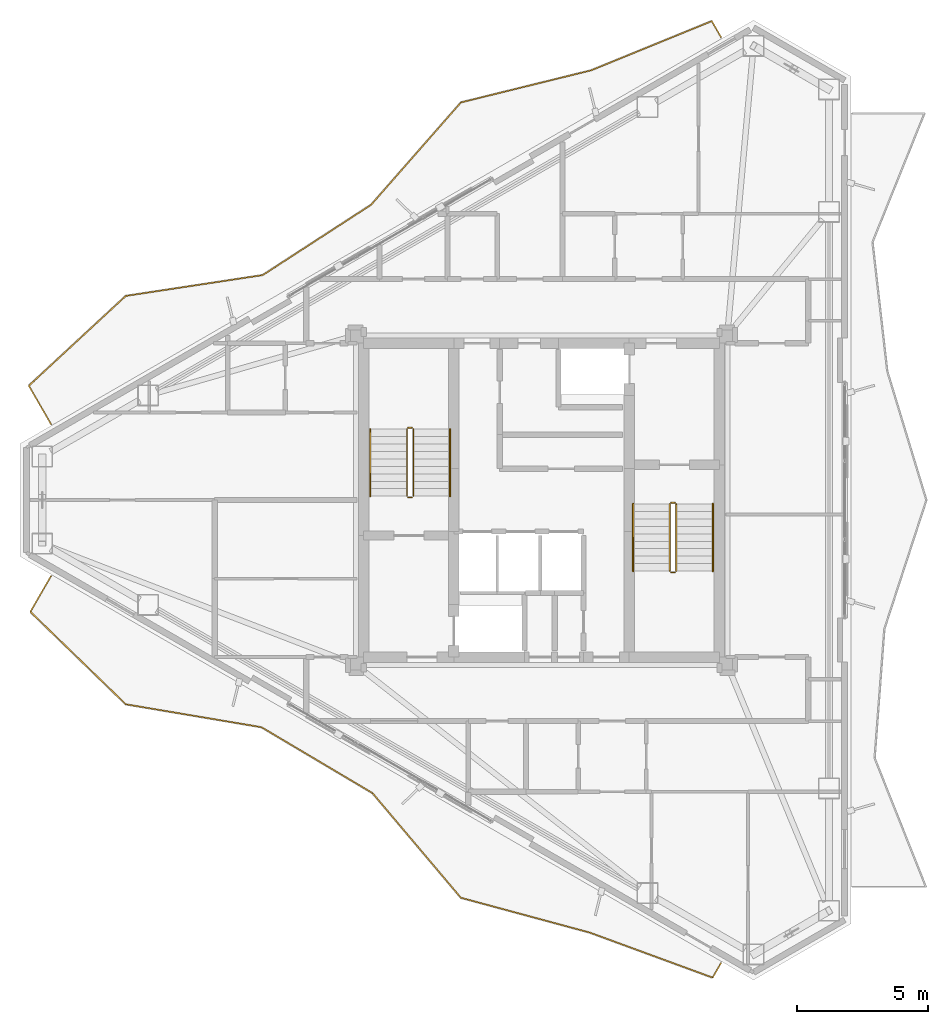
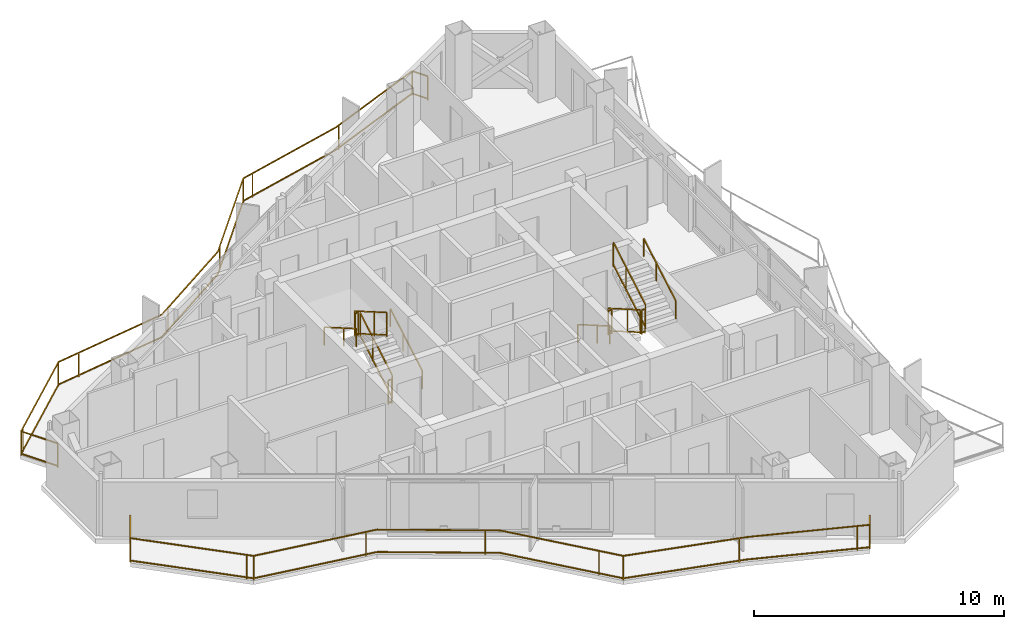
# One storey, part 21 of 22: 14 railings.
"""IFC4 building model written with IfcOpenShell, lengths in metres."""

from ifc_helpers import new_model, si_unit, direction, frame, origin, origin_2d, place, context, subcontext, project, spatial, rectangle, extrude, material, type_object, element, save


model = new_model("IFC4")

# Units and contexts
model_context = context("Model", 3, precision=1e-05, world=origin(), true_north=direction((0.0, 1.0)))
body_context = subcontext(model_context, "Body", "Model", "MODEL_VIEW")
ifc_project = project(units=[si_unit("LENGTHUNIT", "METRE"), si_unit("AREAUNIT", "SQUARE_METRE"), si_unit("VOLUMEUNIT", "CUBIC_METRE"), si_unit("PLANEANGLEUNIT", "RADIAN"), si_unit("MASSUNIT", "GRAM", prefix="KILO")], contexts=[model_context])

# Site, building, storey
site_placement = place(None, origin())
site = spatial("IfcSite", under=ifc_project, at=site_placement, CompositionType="ELEMENT")
building_placement = place(site_placement, origin())
building = spatial("IfcBuilding", under=site, at=building_placement, Name="Mersakhor Tower and Convention Hall", CompositionType="ELEMENT")
storey_placement = place(building_placement, frame((0.0, 0.0, 201.89990234375)))
storey = spatial("IfcBuildingStorey", under=building, at=storey_placement, Name="L56", CompositionType="ELEMENT", Elevation=201.89990234375)

# Railings
ifc_material_1 = material(Name="Powder-coated galvanised steel and laminated glass balustrade", Category="steel")
railing_type_1 = type_object("IfcRailingType", Name="RL-BAL-1200", PredefinedType="BALUSTRADE", material=ifc_material_1)
railing_1_placement = place(storey_placement, frame((35.86669921875, 44.44189453125, 0.0)))
element("IfcRailing", 1, at=railing_1_placement, inside=storey, type_object=railing_type_1, Name="L56 Sinusoidal Balcony Balustrade F1", PredefinedType="BALUSTRADE", context=body_context, shape_type="SweptSolid", body=[
    extrude(rectangle(XDim=0.048095703125, YDim=0.048095703125, at=origin_2d()), frame((0.0, 0.0, 1.17578125), z_axis=(-0.499801049099, 0.866140237675, 0.0), x_axis=(-0.866140237675, -0.499801049099, 0.0)), (0.0, 0.0, 1.0), 0.717041015625),
    extrude(rectangle(XDim=0.048095703125, YDim=0.048095703125, at=origin_2d()), frame((0.0, 0.0, 0.080078125), z_axis=(-0.499801049099, 0.866140237675, 0.0), x_axis=(-0.866140237675, -0.499801049099, 0.0)), (0.0, 0.0, 1.0), 0.717041015625),
    extrude(rectangle(XDim=0.048095703125, YDim=0.048095703125, at=origin_2d()), frame((-0.3583984375, 0.62109375, 1.17578125), z_axis=(-0.925866205829, -0.377851517007, 0.0), x_axis=(0.377851517007, -0.925866205829, 0.0)), (0.0, 0.0, 1.0), 4.97705078125),
    extrude(rectangle(XDim=0.048095703125, YDim=0.048095703125, at=origin_2d()), frame((-0.3583984375, 0.62109375, 0.080078125), z_axis=(-0.925866205829, -0.377851517007, 0.0), x_axis=(0.377851517007, -0.925866205829, 0.0)), (0.0, 0.0, 1.0), 4.97705078125),
    extrude(rectangle(XDim=0.048095703125, YDim=0.048095703125, at=origin_2d()), frame((-4.966552734375, -1.259521484375, 1.17578125), z_axis=(-0.970918004281, -0.239412257338, 0.0), x_axis=(0.239412257338, -0.970918004281, 0.0)), (0.0, 0.0, 1.0), 5.13330078125),
    extrude(rectangle(XDim=0.048095703125, YDim=0.048095703125, at=origin_2d()), frame((-4.966552734375, -1.259521484375, 0.080078125), z_axis=(-0.970918004281, -0.239412257338, 0.0), x_axis=(0.239412257338, -0.970918004281, 0.0)), (0.0, 0.0, 1.0), 5.13330078125),
    extrude(rectangle(XDim=0.048095703125, YDim=0.048095703125, at=origin_2d()), frame((-9.95068359375, -2.488525390625, 1.17578125), z_axis=(-0.65953636943, -0.751672653087, 0.0), x_axis=(0.751672653087, -0.65953636943, 0.0)), (0.0, 0.0, 1.0), 5.206787109375),
    extrude(rectangle(XDim=0.048095703125, YDim=0.048095703125, at=origin_2d()), frame((-9.95068359375, -2.488525390625, 0.080078125), z_axis=(-0.65953636943, -0.751672653087, 0.0), x_axis=(0.751672653087, -0.65953636943, 0.0)), (0.0, 0.0, 1.0), 5.206787109375),
    extrude(rectangle(XDim=0.048095703125, YDim=0.048095703125, at=origin_2d()), frame((-13.384765625, -6.40234375, 1.17578125), z_axis=(-0.838975320171, -0.544169470059, 0.0), x_axis=(0.544169470059, -0.838975320171, 0.0)), (0.0, 0.0, 1.0), 4.937255859375),
    extrude(rectangle(XDim=0.048095703125, YDim=0.048095703125, at=origin_2d()), frame((-13.384765625, -6.40234375, 0.080078125), z_axis=(-0.838975320171, -0.544169470059, 0.0), x_axis=(0.544169470059, -0.838975320171, 0.0)), (0.0, 0.0, 1.0), 4.937255859375),
    extrude(rectangle(XDim=0.048095703125, YDim=0.048095703125, at=origin_2d()), frame((-17.527099609375, -9.089111328125, 1.17578125), z_axis=(-0.988636721296, -0.150324426839, 0.0), x_axis=(0.150324426839, -0.988636721296, 0.0)), (0.0, 0.0, 1.0), 5.29443359375),
    extrude(rectangle(XDim=0.048095703125, YDim=0.048095703125, at=origin_2d()), frame((-17.527099609375, -9.089111328125, 0.080078125), z_axis=(-0.988636721296, -0.150324426839, 0.0), x_axis=(0.150324426839, -0.988636721296, 0.0)), (0.0, 0.0, 1.0), 5.29443359375),
    extrude(rectangle(XDim=0.048095703125, YDim=0.048095703125, at=origin_2d()), frame((-22.761474609375, -9.885009765625, 1.17578125), z_axis=(-0.733767805991, -0.679400328887, 0.0), x_axis=(0.679400328887, -0.733767805991, 0.0)), (0.0, 0.0, 1.0), 5.056396484375),
    extrude(rectangle(XDim=0.048095703125, YDim=0.048095703125, at=origin_2d()), frame((-22.761474609375, -9.885009765625, 0.080078125), z_axis=(-0.733767805991, -0.679400328887, 0.0), x_axis=(0.679400328887, -0.733767805991, 0.0)), (0.0, 0.0, 1.0), 5.056396484375),
    extrude(rectangle(XDim=0.048095703125, YDim=0.048095703125, at=origin_2d()), frame((-26.4716796875, -13.3203125, 1.17578125), z_axis=(0.499954529098, -0.86605165483, 0.0), x_axis=(0.86605165483, 0.499954529098, 0.0)), (0.0, 0.0, 1.0), 1.699951171875),
    extrude(rectangle(XDim=0.048095703125, YDim=0.048095703125, at=origin_2d()), frame((-26.4716796875, -13.3203125, 0.080078125), z_axis=(0.499954529098, -0.86605165483, 0.0), x_axis=(0.86605165483, 0.499954529098, 0.0)), (0.0, 0.0, 1.0), 1.699951171875),
    extrude(rectangle(XDim=0.0419921875, YDim=0.0419921875, at=origin_2d()), origin(), (0.0, 0.0, 1.0), 1.15185546875),
    extrude(rectangle(XDim=0.0419921875, YDim=0.0419921875, at=origin_2d()), frame((-0.3583984375, 0.62109375, 0.0)), (0.0, 0.0, 1.0), 1.15185546875),
    extrude(rectangle(XDim=0.0419921875, YDim=0.0419921875, at=origin_2d()), frame((-4.802490234375, -1.192626953125, 0.0)), (0.0, 0.0, 1.0), 1.15185546875),
    extrude(rectangle(XDim=0.0419921875, YDim=0.0419921875, at=origin_2d()), frame((-9.455078125, -2.3662109375, 0.0)), (0.0, 0.0, 1.0), 1.15185546875),
    extrude(rectangle(XDim=0.0419921875, YDim=0.0419921875, at=origin_2d()), frame((-9.95068359375, -2.488525390625, 0.0)), (0.0, 0.0, 1.0), 1.15185546875),
    extrude(rectangle(XDim=0.0419921875, YDim=0.0419921875, at=origin_2d()), frame((-13.116455078125, -6.096435546875, 0.0)), (0.0, 0.0, 1.0), 1.15185546875),
    extrude(rectangle(XDim=0.0419921875, YDim=0.0419921875, at=origin_2d()), frame((-17.070556640625, -8.79296875, 0.0)), (0.0, 0.0, 1.0), 1.15185546875),
    extrude(rectangle(XDim=0.0419921875, YDim=0.0419921875, at=origin_2d()), frame((-21.734619140625, -9.728759765625, 0.0)), (0.0, 0.0, 1.0), 1.15185546875),
    extrude(rectangle(XDim=0.0419921875, YDim=0.0419921875, at=origin_2d()), frame((-22.761474609375, -9.885009765625, 0.0)), (0.0, 0.0, 1.0), 1.15185546875),
    extrude(rectangle(XDim=0.0419921875, YDim=0.0419921875, at=origin_2d()), frame((-26.283447265625, -13.146240234375, 0.0)), (0.0, 0.0, 1.0), 1.15185546875),
    extrude(rectangle(XDim=0.0419921875, YDim=0.0419921875, at=origin_2d()), frame((-26.4716796875, -13.3203125, 0.0)), (0.0, 0.0, 1.0), 1.15185546875),
    extrude(rectangle(XDim=0.0419921875, YDim=0.0419921875, at=origin_2d()), frame((-25.621826171875, -14.79248046875, 0.0)), (0.0, 0.0, 1.0), 1.15185546875),
])
railing_2_placement = place(storey_placement, frame((10.244873046875, 23.8505859375, 0.0)))
element("IfcRailing", 2, at=railing_2_placement, inside=storey, type_object=railing_type_1, Name="L56 Sinusoidal Balcony Balustrade F3", PredefinedType="BALUSTRADE", context=body_context, shape_type="SweptSolid", body=[
    extrude(rectangle(XDim=0.048095703125, YDim=0.048095703125, at=origin_2d()), frame((0.0, 0.0, 1.17578125), z_axis=(-0.500043375578, -0.866000359435, 0.0), x_axis=(0.866000359435, -0.500043375578, 0.0)), (0.0, 0.0, 1.0), 1.580322265625),
    extrude(rectangle(XDim=0.048095703125, YDim=0.048095703125, at=origin_2d()), frame((0.0, 0.0, 0.080078125), z_axis=(-0.500043375578, -0.866000359435, 0.0), x_axis=(0.866000359435, -0.500043375578, 0.0)), (0.0, 0.0, 1.0), 1.580322265625),
    extrude(rectangle(XDim=0.048095703125, YDim=0.048095703125, at=origin_2d()), frame((-0.790283203125, -1.36865234375, 1.17578125), z_axis=(0.718017463383, -0.69602508739, 0.0), x_axis=(0.69602508739, 0.718017463383, 0.0)), (0.0, 0.0, 1.0), 5.084228515625),
    extrude(rectangle(XDim=0.048095703125, YDim=0.048095703125, at=origin_2d()), frame((-0.790283203125, -1.36865234375, 0.080078125), z_axis=(0.718017463383, -0.69602508739, 0.0), x_axis=(0.69602508739, 0.718017463383, 0.0)), (0.0, 0.0, 1.0), 5.084228515625),
    extrude(rectangle(XDim=0.048095703125, YDim=0.048095703125, at=origin_2d()), frame((2.8603515625, -4.907470703125, 1.17578125), z_axis=(0.98603415783, -0.166543206384, 0.0), x_axis=(0.166543206384, 0.98603415783, 0.0)), (0.0, 0.0, 1.0), 5.26123046875),
    extrude(rectangle(XDim=0.048095703125, YDim=0.048095703125, at=origin_2d()), frame((2.8603515625, -4.907470703125, 0.080078125), z_axis=(0.98603415783, -0.166543206384, 0.0), x_axis=(0.166543206384, 0.98603415783, 0.0)), (0.0, 0.0, 1.0), 5.26123046875),
    extrude(rectangle(XDim=0.048095703125, YDim=0.048095703125, at=origin_2d()), frame((8.048095703125, -5.78369140625, 1.17578125), z_axis=(0.859985792833, -0.510317975507, 0.0), x_axis=(0.510317975507, 0.859985792833, 0.0)), (0.0, 0.0, 1.0), 4.931396484375),
    extrude(rectangle(XDim=0.048095703125, YDim=0.048095703125, at=origin_2d()), frame((8.048095703125, -5.78369140625, 0.080078125), z_axis=(0.859985792833, -0.510317975507, 0.0), x_axis=(0.510317975507, 0.859985792833, 0.0)), (0.0, 0.0, 1.0), 4.931396484375),
    extrude(rectangle(XDim=0.048095703125, YDim=0.048095703125, at=origin_2d()), frame((12.2890625, -8.30029296875, 1.17578125), z_axis=(0.645315561703, -0.763916111771, 0.0), x_axis=(0.763916111771, 0.645315561703, 0.0)), (0.0, 0.0, 1.0), 5.240966796875),
    extrude(rectangle(XDim=0.048095703125, YDim=0.048095703125, at=origin_2d()), frame((12.2890625, -8.30029296875, 0.080078125), z_axis=(0.645315561703, -0.763916111771, 0.0), x_axis=(0.763916111771, 0.645315561703, 0.0)), (0.0, 0.0, 1.0), 5.240966796875),
    extrude(rectangle(XDim=0.048095703125, YDim=0.048095703125, at=origin_2d()), frame((15.671142578125, -12.303955078125, 1.17578125), z_axis=(0.965395959433, -0.260788499574, 0.0), x_axis=(0.260788499574, 0.965395959433, 0.0)), (0.0, 0.0, 1.0), 5.10205078125),
    extrude(rectangle(XDim=0.048095703125, YDim=0.048095703125, at=origin_2d()), frame((15.671142578125, -12.303955078125, 0.080078125), z_axis=(0.965395959433, -0.260788499574, 0.0), x_axis=(0.260788499574, 0.965395959433, 0.0)), (0.0, 0.0, 1.0), 5.10205078125),
    extrude(rectangle(XDim=0.048095703125, YDim=0.048095703125, at=origin_2d()), frame((20.5966796875, -13.634521484375, 1.17578125), z_axis=(0.938895760063, -0.344201614953, 0.0), x_axis=(0.344201614953, 0.938895760063, 0.0)), (0.0, 0.0, 1.0), 5.0048828125),
    extrude(rectangle(XDim=0.048095703125, YDim=0.048095703125, at=origin_2d()), frame((20.5966796875, -13.634521484375, 0.080078125), z_axis=(0.938895760063, -0.344201614953, 0.0), x_axis=(0.344201614953, 0.938895760063, 0.0)), (0.0, 0.0, 1.0), 5.0048828125),
    extrude(rectangle(XDim=0.048095703125, YDim=0.048095703125, at=origin_2d()), frame((25.295654296875, -15.357177734375, 1.17578125), z_axis=(0.500165322679, 0.865929933649, 0.0), x_axis=(-0.865929933649, 0.500165322679, 0.0)), (0.0, 0.0, 1.0), 0.652099609375),
    extrude(rectangle(XDim=0.048095703125, YDim=0.048095703125, at=origin_2d()), frame((25.295654296875, -15.357177734375, 0.080078125), z_axis=(0.500165322679, 0.865929933649, 0.0), x_axis=(-0.865929933649, 0.500165322679, 0.0)), (0.0, 0.0, 1.0), 0.652099609375),
    extrude(rectangle(XDim=0.0419921875, YDim=0.0419921875, at=origin_2d()), origin(), (0.0, 0.0, 1.0), 1.15185546875),
    extrude(rectangle(XDim=0.0419921875, YDim=0.0419921875, at=origin_2d()), frame((-0.790283203125, -1.36865234375, 0.0)), (0.0, 0.0, 1.0), 1.15185546875),
    extrude(rectangle(XDim=0.0419921875, YDim=0.0419921875, at=origin_2d()), frame((2.65625, -4.70947265625, 0.0)), (0.0, 0.0, 1.0), 1.15185546875),
    extrude(rectangle(XDim=0.0419921875, YDim=0.0419921875, at=origin_2d()), frame((2.8603515625, -4.907470703125, 0.0)), (0.0, 0.0, 1.0), 1.15185546875),
    extrude(rectangle(XDim=0.0419921875, YDim=0.0419921875, at=origin_2d()), frame((7.59326171875, -5.706787109375, 0.0)), (0.0, 0.0, 1.0), 1.15185546875),
    extrude(rectangle(XDim=0.0419921875, YDim=0.0419921875, at=origin_2d()), frame((11.779296875, -7.997802734375, 0.0)), (0.0, 0.0, 1.0), 1.15185546875),
    extrude(rectangle(XDim=0.0419921875, YDim=0.0419921875, at=origin_2d()), frame((15.004150390625, -11.514404296875, 0.0)), (0.0, 0.0, 1.0), 1.15185546875),
    extrude(rectangle(XDim=0.0419921875, YDim=0.0419921875, at=origin_2d()), frame((15.671142578125, -12.303955078125, 0.0)), (0.0, 0.0, 1.0), 1.15185546875),
    extrude(rectangle(XDim=0.0419921875, YDim=0.0419921875, at=origin_2d()), frame((20.304931640625, -13.5556640625, 0.0)), (0.0, 0.0, 1.0), 1.15185546875),
    extrude(rectangle(XDim=0.0419921875, YDim=0.0419921875, at=origin_2d()), frame((24.81982421875, -15.1826171875, 0.0)), (0.0, 0.0, 1.0), 1.15185546875),
    extrude(rectangle(XDim=0.0419921875, YDim=0.0419921875, at=origin_2d()), frame((25.295654296875, -15.357177734375, 0.0)), (0.0, 0.0, 1.0), 1.15185546875),
    extrude(rectangle(XDim=0.0419921875, YDim=0.0419921875, at=origin_2d()), frame((25.621826171875, -14.79248046875, 0.0)), (0.0, 0.0, 1.0), 1.15185546875),
])
ifc_material_2 = material(Name="Brushed stainless steel handrail", Category="steel")
railing_type_2 = type_object("IfcRailingType", Name="RL-HR-900", PredefinedType="HANDRAIL", material=ifc_material_2)
railing_3_placement = place(storey_placement, frame((25.5, 26.89990234375, 0.1650390625)))
element("IfcRailing", 3, at=railing_3_placement, inside=storey, type_object=railing_type_2, Name="L56 ST-1 stair handrail 1", PredefinedType="HANDRAIL", context=body_context, shape_type="SweptSolid", body=[
    extrude(rectangle(XDim=0.048095703125, YDim=0.048095703125, at=origin_2d()), frame((0.0, 0.0, 0.8759765625), z_axis=(0.0, 0.865426285481, 0.501036270542), x_axis=(-1.0, 0.0, 0.0)), (0.0, 0.0, 1.0), 2.964111328125),
    extrude(rectangle(XDim=0.0419921875, YDim=0.0419921875, at=origin_2d()), origin(), (0.0, 0.0, 1.0), 0.851806640625),
    extrude(rectangle(XDim=0.0419921875, YDim=0.0419921875, at=origin_2d()), frame((0.0, 1.557861328125, 0.90185546875)), (0.0, 0.0, 1.0), 0.851806640625),
    extrude(rectangle(XDim=0.0419921875, YDim=0.0419921875, at=origin_2d()), frame((0.0, 2.565185546875, 1.485107421875)), (0.0, 0.0, 1.0), 0.851806640625),
])
railing_4_placement = place(storey_placement, frame((22.449951171875, 29.465087890625, 1.815185546875)))
element("IfcRailing", 4, at=railing_4_placement, inside=storey, type_object=railing_type_2, Name="L56 ST-1 stair handrail 2", PredefinedType="HANDRAIL", context=body_context, shape_type="SweptSolid", body=[
    extrude(rectangle(XDim=0.048095703125, YDim=0.048095703125, at=origin_2d()), frame((0.0, 0.0, 0.8759765625), z_axis=(0.0, -0.865461999751, 0.500974577186), x_axis=(1.0, 0.0, 0.0)), (0.0, 0.0, 1.0), 2.9638671875),
    extrude(rectangle(XDim=0.0419921875, YDim=0.0419921875, at=origin_2d()), origin(), (0.0, 0.0, 1.0), 0.851806640625),
    extrude(rectangle(XDim=0.0419921875, YDim=0.0419921875, at=origin_2d()), frame((0.0, -1.557861328125, 0.90185546875)), (0.0, 0.0, 1.0), 0.851806640625),
    extrude(rectangle(XDim=0.0419921875, YDim=0.0419921875, at=origin_2d()), frame((0.0, -2.565185546875, 1.48486328125)), (0.0, 0.0, 1.0), 0.851806640625),
])
railing_5_placement = place(storey_placement, frame((32.5, 26.60009765625, 0.1650390625)))
element("IfcRailing", 5, at=railing_5_placement, inside=storey, type_object=railing_type_2, Name="L56 ST-2 stair handrail 1", PredefinedType="HANDRAIL", context=body_context, shape_type="SweptSolid", body=[
    extrude(rectangle(XDim=0.048095703125, YDim=0.048095703125, at=origin_2d()), frame((0.0, 0.0, 0.8759765625), z_axis=(0.0, -0.865426285481, 0.501036270542), x_axis=(1.0, 0.0, 0.0)), (0.0, 0.0, 1.0), 2.964111328125),
    extrude(rectangle(XDim=0.0419921875, YDim=0.0419921875, at=origin_2d()), origin(), (0.0, 0.0, 1.0), 0.851806640625),
    extrude(rectangle(XDim=0.0419921875, YDim=0.0419921875, at=origin_2d()), frame((0.0, -1.557861328125, 0.90185546875)), (0.0, 0.0, 1.0), 0.851806640625),
    extrude(rectangle(XDim=0.0419921875, YDim=0.0419921875, at=origin_2d()), frame((0.0, -2.565185546875, 1.485107421875)), (0.0, 0.0, 1.0), 0.851806640625),
])
railing_6_placement = place(storey_placement, frame((35.550048828125, 24.034912109375, 1.815185546875)))
element("IfcRailing", 6, at=railing_6_placement, inside=storey, type_object=railing_type_2, Name="L56 ST-2 stair handrail 2", PredefinedType="HANDRAIL", context=body_context, shape_type="SweptSolid", body=[
    extrude(rectangle(XDim=0.048095703125, YDim=0.048095703125, at=origin_2d()), frame((0.0, 0.0, 0.8759765625), z_axis=(0.0, 0.865461999751, 0.500974577186), x_axis=(-1.0, 0.0, 0.0)), (0.0, 0.0, 1.0), 2.9638671875),
    extrude(rectangle(XDim=0.0419921875, YDim=0.0419921875, at=origin_2d()), origin(), (0.0, 0.0, 1.0), 0.851806640625),
    extrude(rectangle(XDim=0.0419921875, YDim=0.0419921875, at=origin_2d()), frame((0.0, 1.557861328125, 0.90185546875)), (0.0, 0.0, 1.0), 0.851806640625),
    extrude(rectangle(XDim=0.0419921875, YDim=0.0419921875, at=origin_2d()), frame((0.0, 2.565185546875, 1.48486328125)), (0.0, 0.0, 1.0), 0.851806640625),
])
ifc_material_3 = material(Name="Painted steel stair balustrade S355", Category="steel")
railing_type_3 = type_object("IfcRailingType", Name="RL-STG-1200", PredefinedType="BALUSTRADE", material=ifc_material_3)
railing_7_placement = place(storey_placement, frame((24.10009765625, 26.89990234375, 0.1650390625)))
element("IfcRailing", 7, at=railing_7_placement, inside=storey, type_object=railing_type_3, Name="L56 ST-1 stair guard 1", PredefinedType="BALUSTRADE", context=body_context, shape_type="SweptSolid", body=[
    extrude(rectangle(XDim=0.048095703125, YDim=0.048095703125, at=origin_2d()), frame((0.0, 0.0, 1.17578125), z_axis=(0.0, 0.865426285481, 0.501036270542), x_axis=(-1.0, 0.0, 0.0)), (0.0, 0.0, 1.0), 2.964111328125),
    extrude(rectangle(XDim=0.048095703125, YDim=0.048095703125, at=origin_2d()), frame((0.0, 0.0, 0.080078125), z_axis=(0.0, 0.865426285481, 0.501036270542), x_axis=(-1.0, 0.0, 0.0)), (0.0, 0.0, 1.0), 2.964111328125),
    extrude(rectangle(XDim=0.0419921875, YDim=0.0419921875, at=origin_2d()), origin(), (0.0, 0.0, 1.0), 1.15185546875),
    extrude(rectangle(XDim=0.0419921875, YDim=0.0419921875, at=origin_2d()), frame((0.0, 1.557861328125, 0.90185546875)), (0.0, 0.0, 1.0), 1.15185546875),
    extrude(rectangle(XDim=0.0419921875, YDim=0.0419921875, at=origin_2d()), frame((0.0, 2.565185546875, 1.485107421875)), (0.0, 0.0, 1.0), 1.15185546875),
])
railing_8_placement = place(storey_placement, frame((24.050048828125, 29.514892578125, 1.650146484375)))
element("IfcRailing", 8, at=railing_8_placement, inside=storey, type_object=railing_type_3, Name="L56 ST-1 stair guard 2", PredefinedType="BALUSTRADE", context=body_context, shape_type="SweptSolid", body=[
    extrude(rectangle(XDim=0.048095703125, YDim=0.048095703125, at=origin_2d()), frame((0.0, 0.0, 1.17578125), z_axis=(-1.0, 0.0, 0.0), x_axis=(0.0, -1.0, 0.0)), (0.0, 0.0, 1.0), 0.150146484375),
    extrude(rectangle(XDim=0.048095703125, YDim=0.048095703125, at=origin_2d()), frame((0.0, 0.0, 0.080078125), z_axis=(-1.0, 0.0, 0.0), x_axis=(0.0, -1.0, 0.0)), (0.0, 0.0, 1.0), 0.150146484375),
    extrude(rectangle(XDim=0.0419921875, YDim=0.0419921875, at=origin_2d()), origin(), (0.0, 0.0, 1.0), 1.15185546875),
    extrude(rectangle(XDim=0.0419921875, YDim=0.0419921875, at=origin_2d()), frame((-0.150146484375, 0.0, 0.0)), (0.0, 0.0, 1.0), 1.15185546875),
])
railing_9_placement = place(storey_placement, frame((23.85009765625, 29.465087890625, 1.815185546875)))
element("IfcRailing", 9, at=railing_9_placement, inside=storey, type_object=railing_type_3, Name="L56 ST-1 stair guard 3", PredefinedType="BALUSTRADE", context=body_context, shape_type="SweptSolid", body=[
    extrude(rectangle(XDim=0.048095703125, YDim=0.048095703125, at=origin_2d()), frame((0.0, 0.0, 1.17578125), z_axis=(0.0, -0.865461999751, 0.500974577186), x_axis=(1.0, 0.0, 0.0)), (0.0, 0.0, 1.0), 2.9638671875),
    extrude(rectangle(XDim=0.048095703125, YDim=0.048095703125, at=origin_2d()), frame((0.0, 0.0, 0.080078125), z_axis=(0.0, -0.865461999751, 0.500974577186), x_axis=(1.0, 0.0, 0.0)), (0.0, 0.0, 1.0), 2.9638671875),
    extrude(rectangle(XDim=0.0419921875, YDim=0.0419921875, at=origin_2d()), origin(), (0.0, 0.0, 1.0), 1.15185546875),
    extrude(rectangle(XDim=0.0419921875, YDim=0.0419921875, at=origin_2d()), frame((0.0, -1.557861328125, 0.90185546875)), (0.0, 0.0, 1.0), 1.15185546875),
    extrude(rectangle(XDim=0.0419921875, YDim=0.0419921875, at=origin_2d()), frame((0.0, -2.565185546875, 1.48486328125)), (0.0, 0.0, 1.0), 1.15185546875),
])
railing_10_placement = place(storey_placement, frame((24.050048828125, 26.85009765625, 0.0)))
element("IfcRailing", 10, at=railing_10_placement, inside=storey, type_object=railing_type_3, Name="L56 ST-1 stair guard 4", PredefinedType="BALUSTRADE", context=body_context, shape_type="SweptSolid", body=[
    extrude(rectangle(XDim=0.048095703125, YDim=0.048095703125, at=origin_2d()), frame((0.0, 0.0, 1.17578125), z_axis=(-1.0, 0.0, 0.0), x_axis=(0.0, -1.0, 0.0)), (0.0, 0.0, 1.0), 0.150146484375),
    extrude(rectangle(XDim=0.048095703125, YDim=0.048095703125, at=origin_2d()), frame((0.0, 0.0, 0.080078125), z_axis=(-1.0, 0.0, 0.0), x_axis=(0.0, -1.0, 0.0)), (0.0, 0.0, 1.0), 0.150146484375),
    extrude(rectangle(XDim=0.0419921875, YDim=0.0419921875, at=origin_2d()), origin(), (0.0, 0.0, 1.0), 1.15185546875),
    extrude(rectangle(XDim=0.0419921875, YDim=0.0419921875, at=origin_2d()), frame((-0.150146484375, 0.0, 0.0)), (0.0, 0.0, 1.0), 1.15185546875),
])
railing_11_placement = place(storey_placement, frame((33.89990234375, 26.60009765625, 0.1650390625)))
element("IfcRailing", 11, at=railing_11_placement, inside=storey, type_object=railing_type_3, Name="L56 ST-2 stair guard 1", PredefinedType="BALUSTRADE", context=body_context, shape_type="SweptSolid", body=[
    extrude(rectangle(XDim=0.048095703125, YDim=0.048095703125, at=origin_2d()), frame((0.0, 0.0, 1.17578125), z_axis=(0.0, -0.865426285481, 0.501036270542), x_axis=(1.0, 0.0, 0.0)), (0.0, 0.0, 1.0), 2.964111328125),
    extrude(rectangle(XDim=0.048095703125, YDim=0.048095703125, at=origin_2d()), frame((0.0, 0.0, 0.080078125), z_axis=(0.0, -0.865426285481, 0.501036270542), x_axis=(1.0, 0.0, 0.0)), (0.0, 0.0, 1.0), 2.964111328125),
    extrude(rectangle(XDim=0.0419921875, YDim=0.0419921875, at=origin_2d()), origin(), (0.0, 0.0, 1.0), 1.15185546875),
    extrude(rectangle(XDim=0.0419921875, YDim=0.0419921875, at=origin_2d()), frame((0.0, -1.557861328125, 0.90185546875)), (0.0, 0.0, 1.0), 1.15185546875),
    extrude(rectangle(XDim=0.0419921875, YDim=0.0419921875, at=origin_2d()), frame((0.0, -2.565185546875, 1.485107421875)), (0.0, 0.0, 1.0), 1.15185546875),
])
railing_12_placement = place(storey_placement, frame((33.949951171875, 23.985107421875, 1.650146484375)))
element("IfcRailing", 12, at=railing_12_placement, inside=storey, type_object=railing_type_3, Name="L56 ST-2 stair guard 2", PredefinedType="BALUSTRADE", context=body_context, shape_type="SweptSolid", body=[
    extrude(rectangle(XDim=0.048095703125, YDim=0.048095703125, at=origin_2d()), frame((0.0, 0.0, 1.17578125), z_axis=(1.0, 0.0, 0.0), x_axis=(0.0, 1.0, 0.0)), (0.0, 0.0, 1.0), 0.150146484375),
    extrude(rectangle(XDim=0.048095703125, YDim=0.048095703125, at=origin_2d()), frame((0.0, 0.0, 0.080078125), z_axis=(1.0, 0.0, 0.0), x_axis=(0.0, 1.0, 0.0)), (0.0, 0.0, 1.0), 0.150146484375),
    extrude(rectangle(XDim=0.0419921875, YDim=0.0419921875, at=origin_2d()), origin(), (0.0, 0.0, 1.0), 1.15185546875),
    extrude(rectangle(XDim=0.0419921875, YDim=0.0419921875, at=origin_2d()), frame((0.150146484375, 0.0, 0.0)), (0.0, 0.0, 1.0), 1.15185546875),
])
railing_13_placement = place(storey_placement, frame((34.14990234375, 24.034912109375, 1.815185546875)))
element("IfcRailing", 13, at=railing_13_placement, inside=storey, type_object=railing_type_3, Name="L56 ST-2 stair guard 3", PredefinedType="BALUSTRADE", context=body_context, shape_type="SweptSolid", body=[
    extrude(rectangle(XDim=0.048095703125, YDim=0.048095703125, at=origin_2d()), frame((0.0, 0.0, 1.17578125), z_axis=(0.0, 0.865461999751, 0.500974577186), x_axis=(-1.0, 0.0, 0.0)), (0.0, 0.0, 1.0), 2.9638671875),
    extrude(rectangle(XDim=0.048095703125, YDim=0.048095703125, at=origin_2d()), frame((0.0, 0.0, 0.080078125), z_axis=(0.0, 0.865461999751, 0.500974577186), x_axis=(-1.0, 0.0, 0.0)), (0.0, 0.0, 1.0), 2.9638671875),
    extrude(rectangle(XDim=0.0419921875, YDim=0.0419921875, at=origin_2d()), origin(), (0.0, 0.0, 1.0), 1.15185546875),
    extrude(rectangle(XDim=0.0419921875, YDim=0.0419921875, at=origin_2d()), frame((0.0, 1.557861328125, 0.90185546875)), (0.0, 0.0, 1.0), 1.15185546875),
    extrude(rectangle(XDim=0.0419921875, YDim=0.0419921875, at=origin_2d()), frame((0.0, 2.565185546875, 1.48486328125)), (0.0, 0.0, 1.0), 1.15185546875),
])
railing_14_placement = place(storey_placement, frame((33.949951171875, 26.64990234375, 0.0)))
element("IfcRailing", 14, at=railing_14_placement, inside=storey, type_object=railing_type_3, Name="L56 ST-2 stair guard 4", PredefinedType="BALUSTRADE", context=body_context, shape_type="SweptSolid", body=[
    extrude(rectangle(XDim=0.048095703125, YDim=0.048095703125, at=origin_2d()), frame((0.0, 0.0, 1.17578125), z_axis=(1.0, 0.0, 0.0), x_axis=(0.0, 1.0, 0.0)), (0.0, 0.0, 1.0), 0.150146484375),
    extrude(rectangle(XDim=0.048095703125, YDim=0.048095703125, at=origin_2d()), frame((0.0, 0.0, 0.080078125), z_axis=(1.0, 0.0, 0.0), x_axis=(0.0, 1.0, 0.0)), (0.0, 0.0, 1.0), 0.150146484375),
    extrude(rectangle(XDim=0.0419921875, YDim=0.0419921875, at=origin_2d()), origin(), (0.0, 0.0, 1.0), 1.15185546875),
    extrude(rectangle(XDim=0.0419921875, YDim=0.0419921875, at=origin_2d()), frame((0.150146484375, 0.0, 0.0)), (0.0, 0.0, 1.0), 1.15185546875),
])

save(model, "model.ifc")
